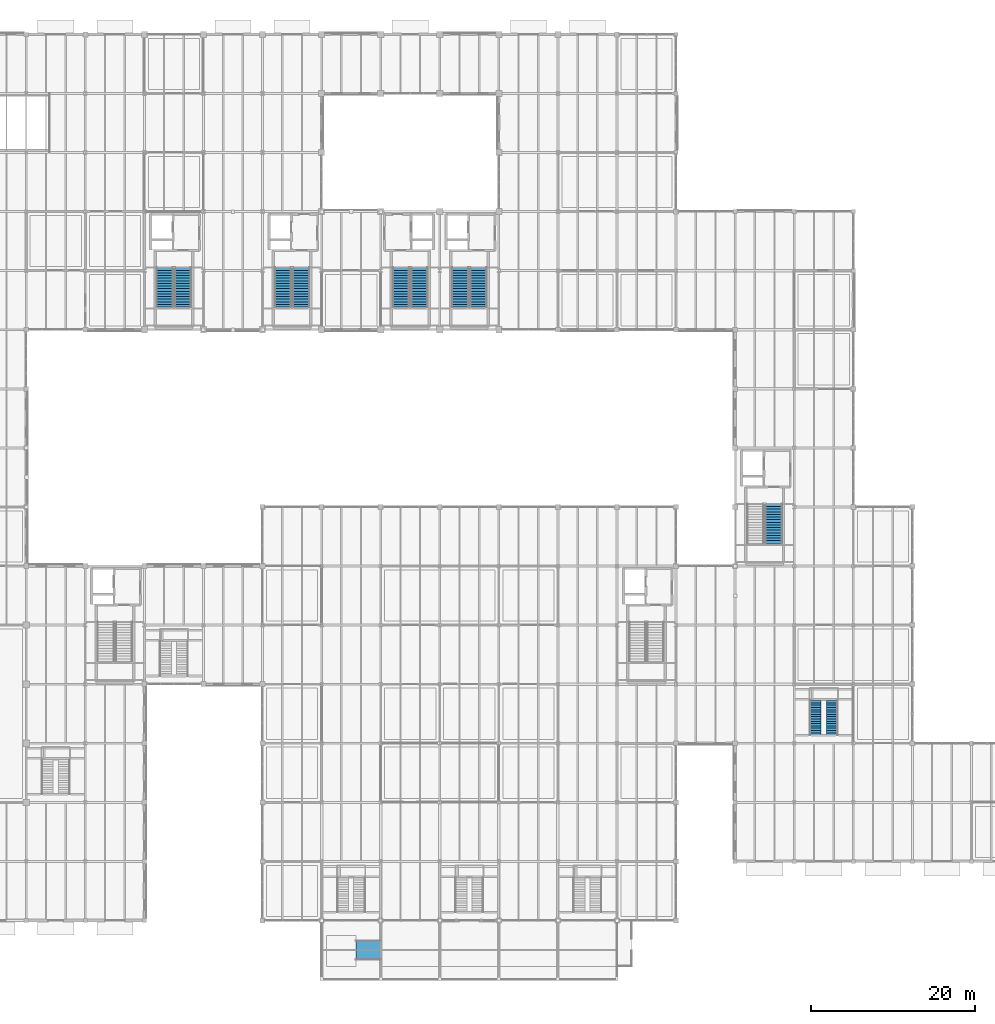
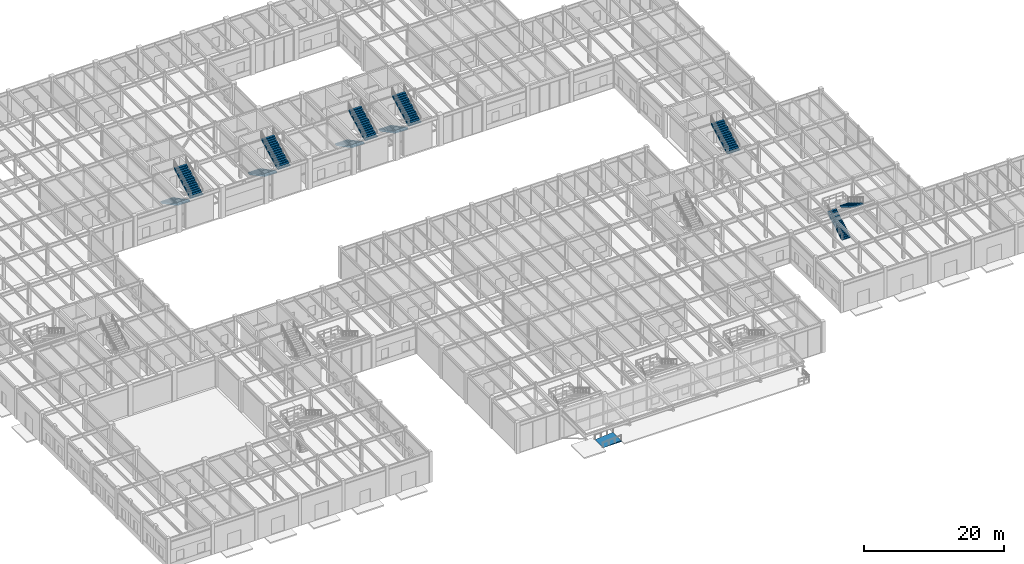
# One storey, part 47 of 97: 11 stair flights, 1 ramp flight, 7 elements without a shape of their own.
"""IFC4 building model written with IfcOpenShell, lengths in metres."""

from ifc_helpers import new_model, si_unit, direction, frame, origin, place, context, subcontext, project, spatial, polyline, outline, extrude, material, layer, layer_set, type_object, element, aggregate, save


model = new_model("IFC4")

# Units and contexts
model_context = context("Model", 3, precision=1e-05, world=origin(), true_north=direction((0.0, 1.0)))
body_context = subcontext(model_context, "Body", "Model", "MODEL_VIEW")
ifc_project = project(units=[si_unit("LENGTHUNIT", "METRE"), si_unit("AREAUNIT", "SQUARE_METRE"), si_unit("VOLUMEUNIT", "CUBIC_METRE"), si_unit("PLANEANGLEUNIT", "RADIAN"), si_unit("MASSUNIT", "GRAM", prefix="KILO")], contexts=[model_context])

# Site, building, storey
site_placement = place(None, origin())
site = spatial("IfcSite", under=ifc_project, at=site_placement, CompositionType="ELEMENT")
building_placement = place(site_placement, origin())
building = spatial("IfcBuilding", under=site, at=building_placement, Name="Sillqori Civic Hall", CompositionType="ELEMENT")
storey_placement = place(building_placement, origin())
storey = spatial("IfcBuildingStorey", under=building, at=storey_placement, Name="L01", CompositionType="ELEMENT", Elevation=0.0)

# Stair, stair flight
ifc_material_1 = material(Name="Concrete C35/45 (H35)", Category="concrete")
stair_type_1 = type_object("IfcStairType", Name="STR-CORE-02", PredefinedType="DOUBLE_RETURN_STAIR", material=ifc_material_1)
stair_1_placement = place(storey_placement, origin())
stair_1 = element("IfcStair", 1, at=stair_1_placement, inside=storey, type_object=stair_type_1, Name="L01 Core exit stair ST-02", PredefinedType="DOUBLE_RETURN_STAIR")
stair_flight_type_1 = type_object("IfcStairFlightType", Name="SFL-CORE-220", PredefinedType="STRAIGHT", material=ifc_material_1)
stair_flight_1_placement = place(storey_placement, frame((127.110107421875, 53.169921875, 2.699951171875), z_axis=(0.0, 0.0, 1.0), x_axis=(0.0, 1.0, 0.0)))
stair_flight_1 = element("IfcStairFlight", 2, at=stair_flight_1_placement, type_object=stair_flight_type_1, Name="ST-02 flight 2", NumberOfRisers=16, NumberOfTreads=15, PredefinedType="STRAIGHT", RiserHeight=0.16875, TreadLength=0.32, context=body_context, shape_type="SweptSolid", body=[
    extrude(outline(polyline([(0.0, 0.0), (0.0, 0.168701171875), (0.320068359375, 0.168701171875), (0.320068359375, 0.33740234375), (0.639892578125, 0.33740234375), (0.639892578125, 0.50634765625), (0.9599609375, 0.50634765625), (0.9599609375, 0.675048828125), (1.280029296875, 0.675048828125), (1.280029296875, 0.84375), (1.60009765625, 0.84375), (1.60009765625, 1.012451171875), (1.919921875, 1.012451171875), (1.919921875, 1.18115234375), (2.239990234375, 1.18115234375), (2.239990234375, 1.35009765625), (2.56005859375, 1.35009765625), (2.56005859375, 1.518798828125), (2.8798828125, 1.518798828125), (2.8798828125, 1.6875), (3.199951171875, 1.6875), (3.199951171875, 1.856201171875), (3.52001953125, 1.856201171875), (3.52001953125, 2.02490234375), (3.840087890625, 2.02490234375), (3.840087890625, 2.19384765625), (4.159912109375, 2.19384765625), (4.159912109375, 2.362548828125), (4.47998046875, 2.362548828125), (4.47998046875, 2.53125), (4.800048828125, 2.53125), (4.800048828125, 2.699951171875), (4.800048828125, 2.282470703125), (0.4716796875, 0.0), (0.0, 0.0)])), frame((0.0, 1.030029296875, 0.0), z_axis=(0.0, -1.0, 0.0), x_axis=(1.0, 0.0, 0.0)), (0.0, 0.0, 1.0), 2.06005859375),
])
aggregate(stair_1, [stair_flight_1])

# Stair, stair flights
stair_type_2 = type_object("IfcStairType", Name="STR-CORE-05", PredefinedType="DOUBLE_RETURN_STAIR", material=ifc_material_1)
stair_2_placement = place(storey_placement, origin())
stair_2 = element("IfcStair", 3, at=stair_2_placement, inside=storey, type_object=stair_type_2, Name="L01 Core exit stair ST-05", PredefinedType="DOUBLE_RETURN_STAIR")
stair_flight_2_placement = place(storey_placement, frame((52.889892578125, 86.77001953125, 0.0), z_axis=(0.0, 0.0, 1.0), x_axis=(0.0, -1.0, 0.0)))
stair_flight_2 = element("IfcStairFlight", 4, at=stair_flight_2_placement, type_object=stair_flight_type_1, Name="ST-05 flight 1", NumberOfRisers=16, NumberOfTreads=15, PredefinedType="STRAIGHT", RiserHeight=0.16875, TreadLength=0.32, context=body_context, shape_type="SweptSolid", body=[
    extrude(outline(polyline([(0.0, 0.0), (0.0, 0.168701171875), (0.320068359375, 0.168701171875), (0.320068359375, 0.33740234375), (0.639892578125, 0.33740234375), (0.639892578125, 0.50634765625), (0.9599609375, 0.50634765625), (0.9599609375, 0.675048828125), (1.280029296875, 0.675048828125), (1.280029296875, 0.84375), (1.60009765625, 0.84375), (1.60009765625, 1.012451171875), (1.919921875, 1.012451171875), (1.919921875, 1.18115234375), (2.239990234375, 1.18115234375), (2.239990234375, 1.35009765625), (2.56005859375, 1.35009765625), (2.56005859375, 1.518798828125), (2.8798828125, 1.518798828125), (2.8798828125, 1.6875), (3.199951171875, 1.6875), (3.199951171875, 1.856201171875), (3.52001953125, 1.856201171875), (3.52001953125, 2.02490234375), (3.840087890625, 2.02490234375), (3.840087890625, 2.19384765625), (4.159912109375, 2.19384765625), (4.159912109375, 2.362548828125), (4.47998046875, 2.362548828125), (4.47998046875, 2.53125), (4.800048828125, 2.53125), (4.800048828125, 2.699951171875), (4.800048828125, 2.282470703125), (0.4716796875, 0.0), (0.0, 0.0)])), frame((0.0, 1.030029296875, 0.0), z_axis=(0.0, -1.0, 0.0), x_axis=(1.0, 0.0, 0.0)), (0.0, 0.0, 1.0), 2.06005859375),
])
stair_flight_3_placement = place(storey_placement, frame((55.110107421875, 81.969970703125, 2.699951171875), z_axis=(0.0, 0.0, 1.0), x_axis=(0.0, 1.0, 0.0)))
stair_flight_3 = element("IfcStairFlight", 5, at=stair_flight_3_placement, type_object=stair_flight_type_1, Name="ST-05 flight 2", NumberOfRisers=16, NumberOfTreads=15, PredefinedType="STRAIGHT", RiserHeight=0.16875, TreadLength=0.32, context=body_context, shape_type="SweptSolid", body=[
    extrude(outline(polyline([(0.0, 0.0), (0.0, 0.168701171875), (0.320068359375, 0.168701171875), (0.320068359375, 0.33740234375), (0.639892578125, 0.33740234375), (0.639892578125, 0.50634765625), (0.9599609375, 0.50634765625), (0.9599609375, 0.675048828125), (1.280029296875, 0.675048828125), (1.280029296875, 0.84375), (1.60009765625, 0.84375), (1.60009765625, 1.012451171875), (1.919921875, 1.012451171875), (1.919921875, 1.18115234375), (2.239990234375, 1.18115234375), (2.239990234375, 1.35009765625), (2.56005859375, 1.35009765625), (2.56005859375, 1.518798828125), (2.8798828125, 1.518798828125), (2.8798828125, 1.6875), (3.199951171875, 1.6875), (3.199951171875, 1.856201171875), (3.52001953125, 1.856201171875), (3.52001953125, 2.02490234375), (3.840087890625, 2.02490234375), (3.840087890625, 2.19384765625), (4.159912109375, 2.19384765625), (4.159912109375, 2.362548828125), (4.47998046875, 2.362548828125), (4.47998046875, 2.53125), (4.800048828125, 2.53125), (4.800048828125, 2.699951171875), (4.800048828125, 2.282470703125), (0.4716796875, 0.0), (0.0, 0.0)])), frame((0.0, 1.030029296875, 0.0), z_axis=(0.0, -1.0, 0.0), x_axis=(1.0, 0.0, 0.0)), (0.0, 0.0, 1.0), 2.06005859375),
])
aggregate(stair_2, [stair_flight_2, stair_flight_3])

stair_type_3 = type_object("IfcStairType", Name="STR-CORE-06", PredefinedType="DOUBLE_RETURN_STAIR", material=ifc_material_1)
stair_3_placement = place(storey_placement, origin())
stair_3 = element("IfcStair", 6, at=stair_3_placement, inside=storey, type_object=stair_type_3, Name="L01 Core exit stair ST-06", PredefinedType="DOUBLE_RETURN_STAIR")
stair_flight_4_placement = place(storey_placement, frame((67.2900390625, 86.77001953125, 0.0), z_axis=(0.0, 0.0, 1.0), x_axis=(0.0, -1.0, 0.0)))
stair_flight_4 = element("IfcStairFlight", 7, at=stair_flight_4_placement, type_object=stair_flight_type_1, Name="ST-06 flight 1", NumberOfRisers=16, NumberOfTreads=15, PredefinedType="STRAIGHT", RiserHeight=0.16875, TreadLength=0.32, context=body_context, shape_type="SweptSolid", body=[
    extrude(outline(polyline([(0.0, 0.0), (0.0, 0.168701171875), (0.320068359375, 0.168701171875), (0.320068359375, 0.33740234375), (0.639892578125, 0.33740234375), (0.639892578125, 0.50634765625), (0.9599609375, 0.50634765625), (0.9599609375, 0.675048828125), (1.280029296875, 0.675048828125), (1.280029296875, 0.84375), (1.60009765625, 0.84375), (1.60009765625, 1.012451171875), (1.919921875, 1.012451171875), (1.919921875, 1.18115234375), (2.239990234375, 1.18115234375), (2.239990234375, 1.35009765625), (2.56005859375, 1.35009765625), (2.56005859375, 1.518798828125), (2.8798828125, 1.518798828125), (2.8798828125, 1.6875), (3.199951171875, 1.6875), (3.199951171875, 1.856201171875), (3.52001953125, 1.856201171875), (3.52001953125, 2.02490234375), (3.840087890625, 2.02490234375), (3.840087890625, 2.19384765625), (4.159912109375, 2.19384765625), (4.159912109375, 2.362548828125), (4.47998046875, 2.362548828125), (4.47998046875, 2.53125), (4.800048828125, 2.53125), (4.800048828125, 2.699951171875), (4.800048828125, 2.282470703125), (0.4716796875, 0.0), (0.0, 0.0)])), frame((0.0, 1.030029296875, 0.0), z_axis=(0.0, -1.0, 0.0), x_axis=(1.0, 0.0, 0.0)), (0.0, 0.0, 1.0), 2.06005859375),
])
stair_flight_5_placement = place(storey_placement, frame((69.510009765625, 81.969970703125, 2.699951171875), z_axis=(0.0, 0.0, 1.0), x_axis=(0.0, 1.0, 0.0)))
stair_flight_5 = element("IfcStairFlight", 8, at=stair_flight_5_placement, type_object=stair_flight_type_1, Name="ST-06 flight 2", NumberOfRisers=16, NumberOfTreads=15, PredefinedType="STRAIGHT", RiserHeight=0.16875, TreadLength=0.32, context=body_context, shape_type="SweptSolid", body=[
    extrude(outline(polyline([(0.0, 0.0), (0.0, 0.168701171875), (0.320068359375, 0.168701171875), (0.320068359375, 0.33740234375), (0.639892578125, 0.33740234375), (0.639892578125, 0.50634765625), (0.9599609375, 0.50634765625), (0.9599609375, 0.675048828125), (1.280029296875, 0.675048828125), (1.280029296875, 0.84375), (1.60009765625, 0.84375), (1.60009765625, 1.012451171875), (1.919921875, 1.012451171875), (1.919921875, 1.18115234375), (2.239990234375, 1.18115234375), (2.239990234375, 1.35009765625), (2.56005859375, 1.35009765625), (2.56005859375, 1.518798828125), (2.8798828125, 1.518798828125), (2.8798828125, 1.6875), (3.199951171875, 1.6875), (3.199951171875, 1.856201171875), (3.52001953125, 1.856201171875), (3.52001953125, 2.02490234375), (3.840087890625, 2.02490234375), (3.840087890625, 2.19384765625), (4.159912109375, 2.19384765625), (4.159912109375, 2.362548828125), (4.47998046875, 2.362548828125), (4.47998046875, 2.53125), (4.800048828125, 2.53125), (4.800048828125, 2.699951171875), (4.800048828125, 2.282470703125), (0.4716796875, 0.0), (0.0, 0.0)])), frame((0.0, 1.030029296875, 0.0), z_axis=(0.0, -1.0, 0.0), x_axis=(1.0, 0.0, 0.0)), (0.0, 0.0, 1.0), 2.06005859375),
])
aggregate(stair_3, [stair_flight_4, stair_flight_5])

stair_type_4 = type_object("IfcStairType", Name="STR-CORE-07", PredefinedType="DOUBLE_RETURN_STAIR", material=ifc_material_1)
stair_4_placement = place(storey_placement, origin())
stair_4 = element("IfcStair", 9, at=stair_4_placement, inside=storey, type_object=stair_type_4, Name="L01 Core exit stair ST-07", PredefinedType="DOUBLE_RETURN_STAIR")
stair_flight_6_placement = place(storey_placement, frame((81.68994140625, 86.77001953125, 0.0), z_axis=(0.0, 0.0, 1.0), x_axis=(0.0, -1.0, 0.0)))
stair_flight_6 = element("IfcStairFlight", 10, at=stair_flight_6_placement, type_object=stair_flight_type_1, Name="ST-07 flight 1", NumberOfRisers=16, NumberOfTreads=15, PredefinedType="STRAIGHT", RiserHeight=0.16875, TreadLength=0.32, context=body_context, shape_type="SweptSolid", body=[
    extrude(outline(polyline([(0.0, 0.0), (0.0, 0.168701171875), (0.320068359375, 0.168701171875), (0.320068359375, 0.33740234375), (0.639892578125, 0.33740234375), (0.639892578125, 0.50634765625), (0.9599609375, 0.50634765625), (0.9599609375, 0.675048828125), (1.280029296875, 0.675048828125), (1.280029296875, 0.84375), (1.60009765625, 0.84375), (1.60009765625, 1.012451171875), (1.919921875, 1.012451171875), (1.919921875, 1.18115234375), (2.239990234375, 1.18115234375), (2.239990234375, 1.35009765625), (2.56005859375, 1.35009765625), (2.56005859375, 1.518798828125), (2.8798828125, 1.518798828125), (2.8798828125, 1.6875), (3.199951171875, 1.6875), (3.199951171875, 1.856201171875), (3.52001953125, 1.856201171875), (3.52001953125, 2.02490234375), (3.840087890625, 2.02490234375), (3.840087890625, 2.19384765625), (4.159912109375, 2.19384765625), (4.159912109375, 2.362548828125), (4.47998046875, 2.362548828125), (4.47998046875, 2.53125), (4.800048828125, 2.53125), (4.800048828125, 2.699951171875), (4.800048828125, 2.282470703125), (0.4716796875, 0.0), (0.0, 0.0)])), frame((0.0, 1.030029296875, 0.0), z_axis=(0.0, -1.0, 0.0), x_axis=(1.0, 0.0, 0.0)), (0.0, 0.0, 1.0), 2.06005859375),
])
stair_flight_7_placement = place(storey_placement, frame((83.909912109375, 81.969970703125, 2.699951171875), z_axis=(0.0, 0.0, 1.0), x_axis=(0.0, 1.0, 0.0)))
stair_flight_7 = element("IfcStairFlight", 11, at=stair_flight_7_placement, type_object=stair_flight_type_1, Name="ST-07 flight 2", NumberOfRisers=16, NumberOfTreads=15, PredefinedType="STRAIGHT", RiserHeight=0.16875, TreadLength=0.32, context=body_context, shape_type="SweptSolid", body=[
    extrude(outline(polyline([(0.0, 0.0), (0.0, 0.168701171875), (0.320068359375, 0.168701171875), (0.320068359375, 0.33740234375), (0.639892578125, 0.33740234375), (0.639892578125, 0.50634765625), (0.9599609375, 0.50634765625), (0.9599609375, 0.675048828125), (1.280029296875, 0.675048828125), (1.280029296875, 0.84375), (1.60009765625, 0.84375), (1.60009765625, 1.012451171875), (1.919921875, 1.012451171875), (1.919921875, 1.18115234375), (2.239990234375, 1.18115234375), (2.239990234375, 1.35009765625), (2.56005859375, 1.35009765625), (2.56005859375, 1.518798828125), (2.8798828125, 1.518798828125), (2.8798828125, 1.6875), (3.199951171875, 1.6875), (3.199951171875, 1.856201171875), (3.52001953125, 1.856201171875), (3.52001953125, 2.02490234375), (3.840087890625, 2.02490234375), (3.840087890625, 2.19384765625), (4.159912109375, 2.19384765625), (4.159912109375, 2.362548828125), (4.47998046875, 2.362548828125), (4.47998046875, 2.53125), (4.800048828125, 2.53125), (4.800048828125, 2.699951171875), (4.800048828125, 2.282470703125), (0.4716796875, 0.0), (0.0, 0.0)])), frame((0.0, 1.030029296875, 0.0), z_axis=(0.0, -1.0, 0.0), x_axis=(1.0, 0.0, 0.0)), (0.0, 0.0, 1.0), 2.06005859375),
])
aggregate(stair_4, [stair_flight_6, stair_flight_7])

stair_type_5 = type_object("IfcStairType", Name="STR-CORE-08", PredefinedType="DOUBLE_RETURN_STAIR", material=ifc_material_1)
stair_5_placement = place(storey_placement, origin())
stair_5 = element("IfcStair", 12, at=stair_5_placement, inside=storey, type_object=stair_type_5, Name="L01 Core exit stair ST-08", PredefinedType="DOUBLE_RETURN_STAIR")
stair_flight_8_placement = place(storey_placement, frame((88.889892578125, 86.77001953125, 0.0), z_axis=(0.0, 0.0, 1.0), x_axis=(0.0, -1.0, 0.0)))
stair_flight_8 = element("IfcStairFlight", 13, at=stair_flight_8_placement, type_object=stair_flight_type_1, Name="ST-08 flight 1", NumberOfRisers=16, NumberOfTreads=15, PredefinedType="STRAIGHT", RiserHeight=0.16875, TreadLength=0.32, context=body_context, shape_type="SweptSolid", body=[
    extrude(outline(polyline([(0.0, 0.0), (0.0, 0.168701171875), (0.320068359375, 0.168701171875), (0.320068359375, 0.33740234375), (0.639892578125, 0.33740234375), (0.639892578125, 0.50634765625), (0.9599609375, 0.50634765625), (0.9599609375, 0.675048828125), (1.280029296875, 0.675048828125), (1.280029296875, 0.84375), (1.60009765625, 0.84375), (1.60009765625, 1.012451171875), (1.919921875, 1.012451171875), (1.919921875, 1.18115234375), (2.239990234375, 1.18115234375), (2.239990234375, 1.35009765625), (2.56005859375, 1.35009765625), (2.56005859375, 1.518798828125), (2.8798828125, 1.518798828125), (2.8798828125, 1.6875), (3.199951171875, 1.6875), (3.199951171875, 1.856201171875), (3.52001953125, 1.856201171875), (3.52001953125, 2.02490234375), (3.840087890625, 2.02490234375), (3.840087890625, 2.19384765625), (4.159912109375, 2.19384765625), (4.159912109375, 2.362548828125), (4.47998046875, 2.362548828125), (4.47998046875, 2.53125), (4.800048828125, 2.53125), (4.800048828125, 2.699951171875), (4.800048828125, 2.282470703125), (0.4716796875, 0.0), (0.0, 0.0)])), frame((0.0, 1.030029296875, 0.0), z_axis=(0.0, -1.0, 0.0), x_axis=(1.0, 0.0, 0.0)), (0.0, 0.0, 1.0), 2.06005859375),
])
stair_flight_9_placement = place(storey_placement, frame((91.110107421875, 81.969970703125, 2.699951171875), z_axis=(0.0, 0.0, 1.0), x_axis=(0.0, 1.0, 0.0)))
stair_flight_9 = element("IfcStairFlight", 14, at=stair_flight_9_placement, type_object=stair_flight_type_1, Name="ST-08 flight 2", NumberOfRisers=16, NumberOfTreads=15, PredefinedType="STRAIGHT", RiserHeight=0.16875, TreadLength=0.32, context=body_context, shape_type="SweptSolid", body=[
    extrude(outline(polyline([(0.0, 0.0), (0.0, 0.168701171875), (0.320068359375, 0.168701171875), (0.320068359375, 0.33740234375), (0.639892578125, 0.33740234375), (0.639892578125, 0.50634765625), (0.9599609375, 0.50634765625), (0.9599609375, 0.675048828125), (1.280029296875, 0.675048828125), (1.280029296875, 0.84375), (1.60009765625, 0.84375), (1.60009765625, 1.012451171875), (1.919921875, 1.012451171875), (1.919921875, 1.18115234375), (2.239990234375, 1.18115234375), (2.239990234375, 1.35009765625), (2.56005859375, 1.35009765625), (2.56005859375, 1.518798828125), (2.8798828125, 1.518798828125), (2.8798828125, 1.6875), (3.199951171875, 1.6875), (3.199951171875, 1.856201171875), (3.52001953125, 1.856201171875), (3.52001953125, 2.02490234375), (3.840087890625, 2.02490234375), (3.840087890625, 2.19384765625), (4.159912109375, 2.19384765625), (4.159912109375, 2.362548828125), (4.47998046875, 2.362548828125), (4.47998046875, 2.53125), (4.800048828125, 2.53125), (4.800048828125, 2.699951171875), (4.800048828125, 2.282470703125), (0.4716796875, 0.0), (0.0, 0.0)])), frame((0.0, 1.030029296875, 0.0), z_axis=(0.0, -1.0, 0.0), x_axis=(1.0, 0.0, 0.0)), (0.0, 0.0, 1.0), 2.06005859375),
])
aggregate(stair_5, [stair_flight_8, stair_flight_9])

ifc_material_2 = material(Name="Steel ASTM A992 and Honed Limestone Treads", Category="masonry")
stair_type_6 = type_object("IfcStairType", Name="STR-MON-540", PredefinedType="STRAIGHT_RUN_STAIR", material=ifc_material_2)
stair_6_placement = place(storey_placement, origin())
stair_6 = element("IfcStair", 15, at=stair_6_placement, inside=storey, type_object=stair_type_6, Name="Members Library Reading Stair L01-L02", PredefinedType="STRAIGHT_RUN_STAIR")
stair_flight_type_2 = type_object("IfcStairFlightType", Name="SFL-MON-165", PredefinedType="STRAIGHT", material=ifc_material_1)
stair_flight_10_placement = place(storey_placement, frame((132.1650390625, 29.800048828125, 0.0), z_axis=(0.0, 0.0, 1.0), x_axis=(0.0, 1.0, 0.0)))
stair_flight_10 = element("IfcStairFlight", 16, at=stair_flight_10_placement, type_object=stair_flight_type_2, Name="MS-16 flight 1", NumberOfRisers=16, NumberOfTreads=15, PredefinedType="STRAIGHT", RiserHeight=0.16875, TreadLength=0.28, context=body_context, shape_type="SweptSolid", body=[
    extrude(outline(polyline([(0.0, 0.0), (0.0, 0.168701171875), (0.280029296875, 0.168701171875), (0.280029296875, 0.33740234375), (0.56005859375, 0.33740234375), (0.56005859375, 0.50634765625), (0.840087890625, 0.50634765625), (0.840087890625, 0.675048828125), (1.1201171875, 0.675048828125), (1.1201171875, 0.84375), (1.39990234375, 0.84375), (1.39990234375, 1.012451171875), (1.679931640625, 1.012451171875), (1.679931640625, 1.18115234375), (1.9599609375, 1.18115234375), (1.9599609375, 1.35009765625), (2.239990234375, 1.35009765625), (2.239990234375, 1.518798828125), (2.52001953125, 1.518798828125), (2.52001953125, 1.6875), (2.800048828125, 1.6875), (2.800048828125, 1.856201171875), (3.080078125, 1.856201171875), (3.080078125, 2.02490234375), (3.360107421875, 2.02490234375), (3.360107421875, 2.19384765625), (3.639892578125, 2.19384765625), (3.639892578125, 2.362548828125), (3.919921875, 2.362548828125), (3.919921875, 2.53125), (4.199951171875, 2.53125), (4.199951171875, 2.699951171875), (4.199951171875, 2.2978515625), (0.387451171875, 0.0), (0.0, 0.0)])), frame((0.0, 0.72509765625, 0.0), z_axis=(0.0, -1.0, 0.0), x_axis=(1.0, 0.0, 0.0)), (0.0, 0.0, 1.0), 1.449951171875),
])
stair_flight_11_placement = place(storey_placement, frame((134.235107421875, 34.0, 2.699951171875), z_axis=(0.0, 0.0, 1.0), x_axis=(0.0, -1.0, 0.0)))
stair_flight_11 = element("IfcStairFlight", 17, at=stair_flight_11_placement, type_object=stair_flight_type_2, Name="MS-16 flight 2", NumberOfRisers=16, NumberOfTreads=15, PredefinedType="STRAIGHT", RiserHeight=0.16875, TreadLength=0.28, context=body_context, shape_type="SweptSolid", body=[
    extrude(outline(polyline([(0.0, 0.0), (0.0, 0.168701171875), (0.280029296875, 0.168701171875), (0.280029296875, 0.33740234375), (0.56005859375, 0.33740234375), (0.56005859375, 0.50634765625), (0.840087890625, 0.50634765625), (0.840087890625, 0.675048828125), (1.1201171875, 0.675048828125), (1.1201171875, 0.84375), (1.39990234375, 0.84375), (1.39990234375, 1.012451171875), (1.679931640625, 1.012451171875), (1.679931640625, 1.18115234375), (1.9599609375, 1.18115234375), (1.9599609375, 1.35009765625), (2.239990234375, 1.35009765625), (2.239990234375, 1.518798828125), (2.52001953125, 1.518798828125), (2.52001953125, 1.6875), (2.800048828125, 1.6875), (2.800048828125, 1.856201171875), (3.080078125, 1.856201171875), (3.080078125, 2.02490234375), (3.360107421875, 2.02490234375), (3.360107421875, 2.19384765625), (3.639892578125, 2.19384765625), (3.639892578125, 2.362548828125), (3.919921875, 2.362548828125), (3.919921875, 2.53125), (4.199951171875, 2.53125), (4.199951171875, 2.699951171875), (4.199951171875, 2.2978515625), (0.387451171875, 0.0), (0.0, 0.0)])), frame((0.0, 0.72509765625, 0.0), z_axis=(0.0, -1.0, 0.0), x_axis=(1.0, 0.0, 0.0)), (0.0, 0.0, 1.0), 1.449951171875),
])
aggregate(stair_6, [stair_flight_10, stair_flight_11])

# Ramp, ramp flight
ramp_type = type_object("IfcRampType", Name="RMP-PED-240", PredefinedType="STRAIGHT_RUN_RAMP", material=ifc_material_1)
ramp_placement = place(storey_placement, origin())
ramp = element("IfcRamp", 18, at=ramp_placement, inside=storey, type_object=ramp_type, Name="Civic Forecourt Accessible Pedestrian Ramp PR-01", PredefinedType="STRAIGHT_RUN_RAMP")
ifc_layer = layer(ifc_material_1, 0.219970703125)
ifc_layer_set = layer_set([ifc_layer], Name="Concrete C35/45 (H35)")
ramp_flight_type = type_object("IfcRampFlightType", Name="RMF-PED-240", PredefinedType="STRAIGHT", material=ifc_layer_set)
ramp_flight_placement = place(storey_placement, frame((76.199951171875, 3.60009765625, -0.239990234375), z_axis=(0.0, 0.0, 1.0), x_axis=(1.0, 0.0, 0.0)))
ramp_flight = element("IfcRampFlight", 19, at=ramp_flight_placement, type_object=ramp_flight_type, Name="Forecourt accessible ramp flight PR-01", PredefinedType="STRAIGHT", context=body_context, shape_type="SweptSolid", body=[
    extrude(outline(polyline([(0.0, 0.0), (3.0, 0.239990234375), (3.0, 0.02001953125), (1.5, 0.0), (0.0, 0.0)])), frame((0.0, 1.199951171875, 0.0), z_axis=(0.0, -1.0, 0.0), x_axis=(1.0, 0.0, 0.0)), (0.0, 0.0, 1.0), 2.39990234375),
])
aggregate(ramp, [ramp_flight])

save(model, "model.ifc")
